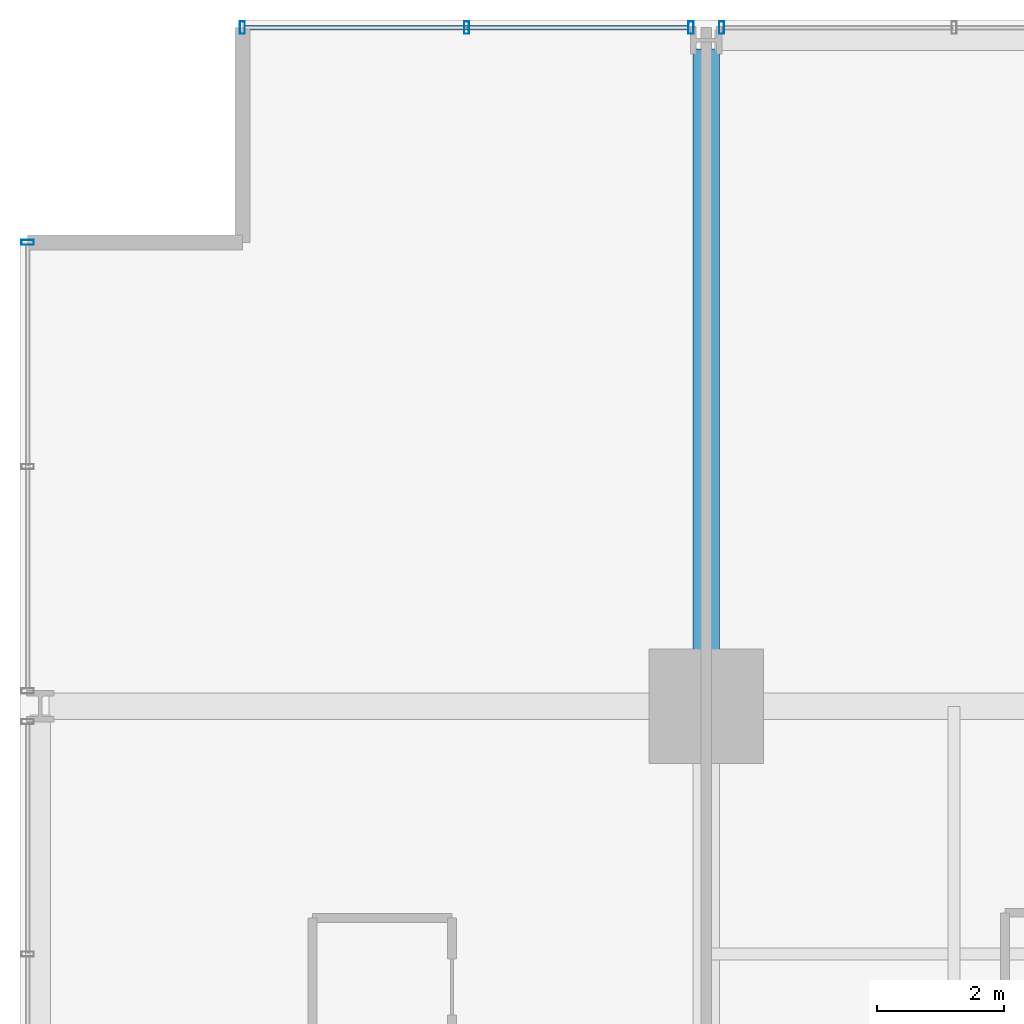
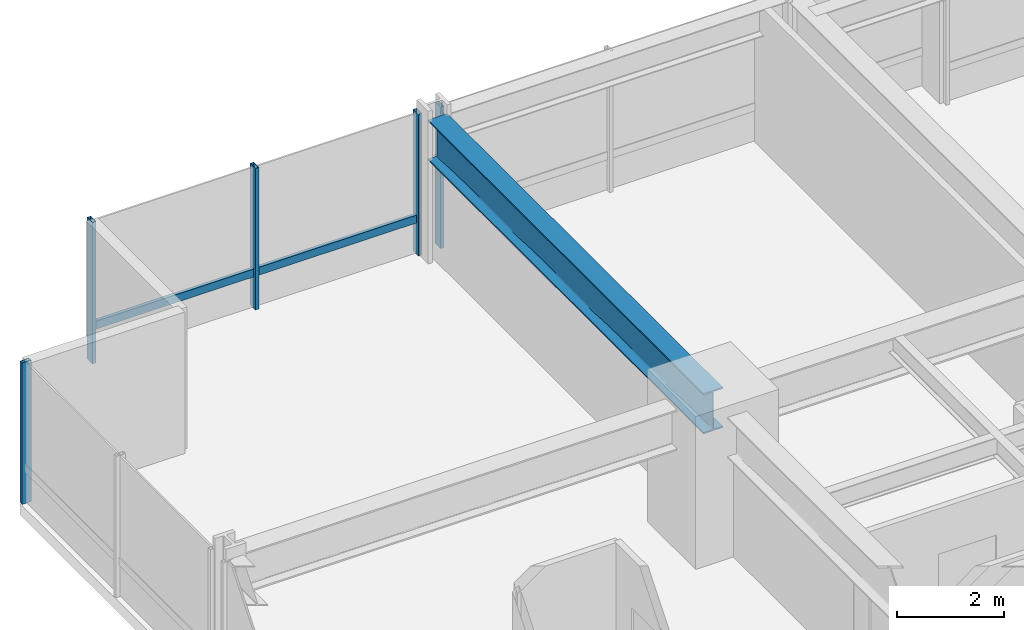
# One storey, part 21 of 38: 6 members, 1 beam, 3 elements without a shape of their own.
"""IFC4 building model written with IfcOpenShell, lengths in metres."""

import ifcopenshell
import ifcopenshell.guid

model = None  # the IFC model being written
_history = None  # IfcOwnerHistory: only IFC2X3 demands one
_inside = {}  # id of a spatial element -> (the spatial element, [elements in it])
_under = {}  # id of a project, library or spatial element -> (it, [spatial elements below it])
_declared = {}  # id of a project -> (the project, [libraries it declares])
_typed = {}  # id of a type object -> (the type object, [elements of that type])
_made_of = {}  # id of a material, layer set ... -> (it, [elements and type objects made of it])


def new_model(schema):
    """Start an empty IFC model of exactly this schema.

    Asked for "IFC4X3", IfcOpenShell would pick the latest addendum, in which some entities
    have other attributes; the version numbers below select the first issue.
    IFC2X3 requires an IfcOwnerHistory on every rooted entity: one is made here for all.
    """
    global model, _history
    if schema == "IFC4X3":
        model = ifcopenshell.file(schema_version=(4, 3, 0, 0))
    else:
        model = ifcopenshell.file(schema=schema)
    _inside.clear()
    _under.clear()
    _declared.clear()
    _typed.clear()
    _made_of.clear()
    _history = None
    if model.schema == "IFC2X3":
        org = make("IfcOrganization", Name="unknown")
        user = make(
            "IfcPersonAndOrganization",
            ThePerson=make("IfcPerson", FamilyName="unknown"),
            TheOrganization=org,
        )
        app = make(
            "IfcApplication",
            ApplicationDeveloper=org,
            Version="unknown",
            ApplicationFullName="unknown",
            ApplicationIdentifier="unknown",
        )
        _history = make(
            "IfcOwnerHistory",
            OwningUser=user,
            OwningApplication=app,
            ChangeAction="ADDED",
            CreationDate=0,
        )
    return model


def make(cls, **values):
    """One entity of the class cls with the attributes given. An attribute that is None is left unset."""
    return model.create_entity(
        cls, **{name: value for name, value in values.items() if value is not None}
    )


def rooted(cls, **values):
    """An entity with a GlobalId (a new one), such as an element, a storey or a relation."""
    return make(cls, GlobalId=ifcopenshell.guid.new(), OwnerHistory=_history, **values)


def si_unit(unit_type, name, prefix=None):
    """IfcSIUnit, for example si_unit("LENGTHUNIT", "METRE", prefix="MILLI")."""
    return make("IfcSIUnit", UnitType=unit_type, Prefix=prefix, Name=name)


def assignment(units):
    """IfcUnitAssignment: the units of a project."""
    return None if units is None else make("IfcUnitAssignment", Units=units)


def point(xyz):
    """IfcCartesianPoint."""
    return None if xyz is None else make("IfcCartesianPoint", Coordinates=xyz)


def direction(xyz):
    """IfcDirection."""
    return None if xyz is None else make("IfcDirection", DirectionRatios=xyz)


def frame(location, z_axis=None, x_axis=None):
    """IfcAxis2Placement3D, a coordinate frame: its origin and axes. An axis left out is left unset."""
    return make(
        "IfcAxis2Placement3D",
        Location=point(location),
        Axis=direction(z_axis),
        RefDirection=direction(x_axis),
    )


def frame_2d(location, x_axis=None):
    """IfcAxis2Placement2D, a coordinate frame in the plane: its origin and x axis."""
    return make(
        "IfcAxis2Placement2D", Location=point(location), RefDirection=direction(x_axis)
    )


def origin():
    """The frame at (0, 0, 0) with its axes left unset."""
    return frame((0.0, 0.0, 0.0))


def origin_2d():
    """The frame at (0, 0) in the plane with its x axis left unset."""
    return frame_2d((0.0, 0.0))


def place(relative_to, where):
    """IfcLocalPlacement: puts the frame where relative to a parent placement (None: the world)."""
    return make(
        "IfcLocalPlacement", PlacementRelTo=relative_to, RelativePlacement=where
    )


def context(
    kind, dimensions, precision=None, world=None, true_north=None, identifier=None
):
    """IfcGeometricRepresentationContext, for example the 3D "Model" context."""
    return make(
        "IfcGeometricRepresentationContext",
        ContextIdentifier=identifier,
        ContextType=kind,
        CoordinateSpaceDimension=dimensions,
        Precision=precision,
        WorldCoordinateSystem=world,
        TrueNorth=true_north,
    )


def subcontext(parent, identifier, kind, view, scale=None):
    """IfcGeometricRepresentationSubContext, for example "Body" below "Model"."""
    return make(
        "IfcGeometricRepresentationSubContext",
        ContextIdentifier=identifier,
        ContextType=kind,
        ParentContext=parent,
        TargetScale=scale,
        TargetView=view,
    )


def project(units=None, contexts=None):
    """IfcProject with its units and contexts."""
    return rooted(
        "IfcProject",
        Name="project",
        RepresentationContexts=contexts,
        UnitsInContext=assignment(units),
    )


def spatial(cls, under=None, at=None, **own):
    """A site, building, storey or space (cls), placed at a placement, below another one or the project."""
    s = rooted(cls, ObjectPlacement=at, **own)
    if under is not None:
        _under.setdefault(under.id(), (under, []))[1].append(s)
    return s


def profile(cls, at=None, kind="AREA", **sizes):
    """A parametric profile (cls). Its sizes go by their IFC names, for example OverallWidth=200.0."""
    return make(cls, ProfileType=kind, Position=at, **sizes)


def hollow_rectangle(**sizes):
    """IfcRectangleHollowProfileDef."""
    return profile("IfcRectangleHollowProfileDef", **sizes)


def i_section(**sizes):
    """IfcIShapeProfileDef."""
    return profile("IfcIShapeProfileDef", **sizes)


def extrude(swept, where, along, depth):
    """IfcExtrudedAreaSolid: the profile swept, set in the frame where, extruded along a direction by depth."""
    return make(
        "IfcExtrudedAreaSolid",
        SweptArea=swept,
        Position=where,
        ExtrudedDirection=direction(along),
        Depth=depth,
    )


def shape(context_of_items, identifier, shape_type, items):
    """IfcShapeRepresentation: the items that make up one representation, for example the "Body"."""
    return make(
        "IfcShapeRepresentation",
        ContextOfItems=context_of_items,
        RepresentationIdentifier=identifier,
        RepresentationType=shape_type,
        Items=items,
    )


def material(Name=None, Category=None):
    """IfcMaterial."""
    return make("IfcMaterial", Name=Name, Category=Category)


def layer(
    of_material, thickness, ventilated=None, Name=None, Category=None, Priority=None
):
    """IfcMaterialLayer: one layer of a wall or slab, of a material (None: an air gap)."""
    return make(
        "IfcMaterialLayer",
        Material=of_material,
        LayerThickness=thickness,
        IsVentilated=ventilated,
        Name=Name,
        Category=Category,
        Priority=Priority,
    )


def layer_set(layers, Name=None):
    """IfcMaterialLayerSet."""
    return make("IfcMaterialLayerSet", MaterialLayers=layers, LayerSetName=Name)


def material_profile(
    of_material, cross_section, Name=None, Category=None, Priority=None
):
    """IfcMaterialProfile: a cross section and its material."""
    return make(
        "IfcMaterialProfile",
        Name=Name,
        Material=of_material,
        Profile=cross_section,
        Priority=Priority,
        Category=Category,
    )


def profile_set(profiles, Name=None, composite=None):
    """IfcMaterialProfileSet."""
    return make(
        "IfcMaterialProfileSet",
        Name=Name,
        MaterialProfiles=profiles,
        CompositeProfile=composite,
    )


def made_of(thing, what):
    """Note that an element or type object is made of a material, layer set ...; save() writes the relation."""
    if what is not None:
        _made_of.setdefault(what.id(), (what, []))[1].append(thing)
    return thing


def type_object(cls, material=None, **own):
    """A type object (cls), such as IfcWallType, which elements share."""
    return made_of(rooted(cls, **own), material)


def element(
    cls,
    number,
    at=None,
    inside=None,
    cuts=None,
    type_object=None,
    material=None,
    context=None,
    identifier="Body",
    shape_type=None,
    held_by="IfcProductDefinitionShape",
    body=None,
    shapes=None,
    **own,
):
    """One element of the class cls, such as IfcWall. Its Tag is "e" and its number.

    at: its placement. inside: the storey or other place that contains it. cuts: it is an
    opening in that element (IfcRelVoidsElement). A single representation is given by context,
    identifier, shape_type and body (its items); several are given by shapes. held_by: the class
    of the entity that holds the representations. save() writes the other relations.
    """
    e = rooted(cls, Tag="e%d" % number, ObjectPlacement=at, **own)
    if body is not None:
        shapes = [shape(context, identifier, shape_type, body)]
    if shapes is not None:
        e.Representation = make(held_by, Representations=shapes)
    if inside is not None:
        _inside.setdefault(inside.id(), (inside, []))[1].append(e)
    if cuts is not None:
        rooted(
            "IfcRelVoidsElement", RelatingBuildingElement=cuts, RelatedOpeningElement=e
        )
    if type_object is not None:
        _typed.setdefault(type_object.id(), (type_object, []))[1].append(e)
    return made_of(e, material)


def aggregate(whole, parts):
    """IfcRelAggregates: a whole, such as a stair, and the parts it consists of."""
    return rooted("IfcRelAggregates", RelatingObject=whole, RelatedObjects=parts)


def save(model, path):
    """Write the relations noted so far, then the file.

    IfcRelAggregates (storeys below a building ...), IfcRelContainedInSpatialStructure (elements
    in a storey), IfcRelDefinesByType, IfcRelAssociatesMaterial and IfcRelDeclares: one each for
    every whole, place, type object, material and project.
    """
    for whole, parts in _under.values():
        aggregate(whole, parts)
    for where, things in _inside.values():
        rooted(
            "IfcRelContainedInSpatialStructure",
            RelatedElements=things,
            RelatingStructure=where,
        )
    for kind, things in _typed.values():
        rooted("IfcRelDefinesByType", RelatedObjects=things, RelatingType=kind)
    for what, things in _made_of.values():
        rooted("IfcRelAssociatesMaterial", RelatedObjects=things, RelatingMaterial=what)
    for by, libraries in _declared.values():
        rooted("IfcRelDeclares", RelatingContext=by, RelatedDefinitions=libraries)
    model.write(path)


model = new_model("IFC4")

# Units and contexts
model_context = context("Model", 3, precision=1e-05, world=origin(), true_north=direction((0.0, 1.0)))
body_context = subcontext(model_context, "Body", "Model", "MODEL_VIEW")
ifc_project = project(units=[si_unit("LENGTHUNIT", "METRE"), si_unit("AREAUNIT", "SQUARE_METRE"), si_unit("VOLUMEUNIT", "CUBIC_METRE"), si_unit("PLANEANGLEUNIT", "RADIAN"), si_unit("MASSUNIT", "GRAM", prefix="KILO")], contexts=[model_context])

# Site, building, storey
site_placement = place(None, origin())
site = spatial("IfcSite", under=ifc_project, at=site_placement, CompositionType="ELEMENT")
building_placement = place(site_placement, origin())
building = spatial("IfcBuilding", under=site, at=building_placement, Name="Drelvath Grand Hotel", CompositionType="ELEMENT")
storey_placement = place(building_placement, frame((0.0, 0.0, 50.699951171875)))
storey = spatial("IfcBuildingStorey", under=building, at=storey_placement, Name="L11", CompositionType="ELEMENT", Elevation=50.699951171875)

# Curtain wall, member
ifc_material_1 = material(Name="Warm Bronze Anodised Aluminium Frame", Category="aluminium")
ifc_layer = layer(ifc_material_1, 0.199951171875)
ifc_layer_set = layer_set([ifc_layer], Name="Warm Bronze Anodised Aluminium Frame")
curtain_wall_type = type_object("IfcCurtainWallType", Name="Stick Curtain Wall CW-02 Warm Bronze Low-Rise", PredefinedType="NOTDEFINED", material=ifc_layer_set)
curtain_wall_1_placement = place(storey_placement, origin())
curtain_wall_1 = element("IfcCurtainWall", 1, at=curtain_wall_1_placement, inside=storey, type_object=curtain_wall_type, Name="L11 CW-02 Curtain Wall CW02-L11-NW1", PredefinedType="NOTDEFINED")
ifc_material_profile_1 = material_profile(ifc_material_1, hollow_rectangle(XDim=0.074951171875, YDim=0.179931640625, WallThickness=0.0048828125, at=origin_2d()), Name="HSS180X75X5")
ifc_profile_set_1 = profile_set([ifc_material_profile_1], Name="Warm Bronze Anodised Aluminium Frame")
member_type_1 = type_object("IfcMemberType", Name="Curtain Wall Horizontal Transom CW-02 HSS180X75X5", PredefinedType="USERDEFINED", material=ifc_profile_set_1)
member_1_placement = place(storey_placement, frame((-23.4599609375, 53.8798828125, 0.81005859375), z_axis=(1.0, 0.0, 0.0), x_axis=(0.0, 1.0, 0.0)))
member_1 = element("IfcMember", 2, at=member_1_placement, type_object=member_type_1, Name="CW02-L11-NW1 Sill Transom", ObjectType="TRANSOM", PredefinedType="USERDEFINED", context=body_context, shape_type="SweptSolid", body=[
    extrude(hollow_rectangle(XDim=0.074951171875, YDim=0.179931640625, WallThickness=0.0048828125, at=origin_2d()), origin(), (0.0, 0.0, 1.0), 6.97900390625),
])

curtain_wall_2_placement = place(storey_placement, origin())
curtain_wall_2 = element("IfcCurtainWall", 3, at=curtain_wall_2_placement, inside=storey, type_object=curtain_wall_type, Name="L11 CW-02 Curtain Wall CW02-L11-WN3", PredefinedType="NOTDEFINED")
ifc_material_profile_2 = material_profile(ifc_material_1, hollow_rectangle(XDim=0.080078125, YDim=0.199951171875, WallThickness=0.0048828125, at=origin_2d()), Name="HSS200X80X5")
ifc_profile_set_2 = profile_set([ifc_material_profile_2], Name="Warm Bronze Anodised Aluminium Frame")
member_type_2 = type_object("IfcMemberType", Name="Curtain Wall Vertical Mullion CW-02 HSS200X80X5", PredefinedType="MULLION", material=ifc_profile_set_2)
member_2_placement = place(storey_placement, frame((-26.8798828125, 50.5, 0.0), z_axis=(0.0, 0.0, 1.0), x_axis=(0.0, 1.0, 0.0)))
member_2 = element("IfcMember", 4, at=member_2_placement, type_object=member_type_2, Name="CW02-L11-WN3 Mullion 3", PredefinedType="MULLION", context=body_context, shape_type="SweptSolid", body=[
    extrude(hollow_rectangle(XDim=0.080078125, YDim=0.199951171875, WallThickness=0.0048828125, at=origin_2d()), origin(), (0.0, 0.0, 1.0), 3.239990234375),
])
aggregate(curtain_wall_2, [member_2])

# Member
member_3_placement = place(storey_placement, frame((-23.5, 53.8798828125, 0.0), z_axis=(0.0, 0.0, 1.0), x_axis=(1.0, 0.0, 0.0)))
member_3 = element("IfcMember", 5, at=member_3_placement, type_object=member_type_2, Name="CW02-L11-NW1 Mullion 1", PredefinedType="MULLION", context=body_context, shape_type="SweptSolid", body=[
    extrude(hollow_rectangle(XDim=0.080078125, YDim=0.199951171875, WallThickness=0.0048828125, at=origin_2d()), origin(), (0.0, 0.0, 1.0), 3.239990234375),
])

member_4_placement = place(storey_placement, frame((-19.970458984375, 53.8798828125, 0.0), z_axis=(0.0, 0.0, 1.0), x_axis=(1.0, 0.0, 0.0)))
member_4 = element("IfcMember", 6, at=member_4_placement, type_object=member_type_2, Name="CW02-L11-NW1 Mullion 2", PredefinedType="MULLION", context=body_context, shape_type="SweptSolid", body=[
    extrude(hollow_rectangle(XDim=0.080078125, YDim=0.199951171875, WallThickness=0.0048828125, at=origin_2d()), origin(), (0.0, 0.0, 1.0), 3.239990234375),
])

member_5_placement = place(storey_placement, frame((-16.44091796875, 53.8798828125, 0.0), z_axis=(0.0, 0.0, 1.0), x_axis=(1.0, 0.0, 0.0)))
member_5 = element("IfcMember", 7, at=member_5_placement, type_object=member_type_2, Name="CW02-L11-NW1 Mullion 3", PredefinedType="MULLION", context=body_context, shape_type="SweptSolid", body=[
    extrude(hollow_rectangle(XDim=0.080078125, YDim=0.199951171875, WallThickness=0.0048828125, at=origin_2d()), origin(), (0.0, 0.0, 1.0), 3.239990234375),
])

aggregate(curtain_wall_1, [member_3, member_4, member_5, member_1])

# Curtain wall, member
curtain_wall_3_placement = place(storey_placement, origin())
curtain_wall_3 = element("IfcCurtainWall", 8, at=curtain_wall_3_placement, inside=storey, type_object=curtain_wall_type, Name="L11 CW-02 Curtain Wall CW02-L11-NW2", PredefinedType="NOTDEFINED")
member_6_placement = place(storey_placement, frame((-15.958984375, 53.8798828125, 0.0), z_axis=(0.0, 0.0, 1.0), x_axis=(1.0, 0.0, 0.0)))
member_6 = element("IfcMember", 9, at=member_6_placement, type_object=member_type_2, Name="CW02-L11-NW2 Mullion 1", PredefinedType="MULLION", context=body_context, shape_type="SweptSolid", body=[
    extrude(hollow_rectangle(XDim=0.080078125, YDim=0.199951171875, WallThickness=0.0048828125, at=origin_2d()), origin(), (0.0, 0.0, 1.0), 3.239990234375),
])
aggregate(curtain_wall_3, [member_6])

# Beam
ifc_material_2 = material(Name="Steel ASTM A992 Gr 50", Category="steel")
ifc_material_profile_3 = material_profile(ifc_material_2, i_section(OverallWidth=0.418212890625, OverallDepth=0.926513671875, WebThickness=0.019287109375, FlangeThickness=0.031982421875, FilletRadius=0.028076171875, at=origin_2d()), Name="W36X231")
ifc_profile_set_3 = profile_set([ifc_material_profile_3], Name="Steel ASTM A992 Gr 50")
beam_type = type_object("IfcBeamType", Name="Primary Floor Girder W36X231", PredefinedType="BEAM", material=ifc_profile_set_3)
beam_placement = place(storey_placement, frame((-16.199951171875, 43.199951171875, 2.77685546875), z_axis=(0.0, 1.0, 0.0), x_axis=(-1.0, 0.0, 0.0)))
element("IfcBeam", 10, at=beam_placement, inside=storey, type_object=beam_type, Name="L11 North Grid Girder 3", PredefinedType="BEAM", context=body_context, shape_type="SweptSolid", body=[
    extrude(i_section(OverallWidth=0.418212890625, OverallDepth=0.926513671875, WebThickness=0.019287109375, FlangeThickness=0.031982421875, FilletRadius=0.028076171875, at=origin_2d()), origin(), (0.0, 0.0, 1.0), 10.340087890625),
])

save(model, "model.ifc")
